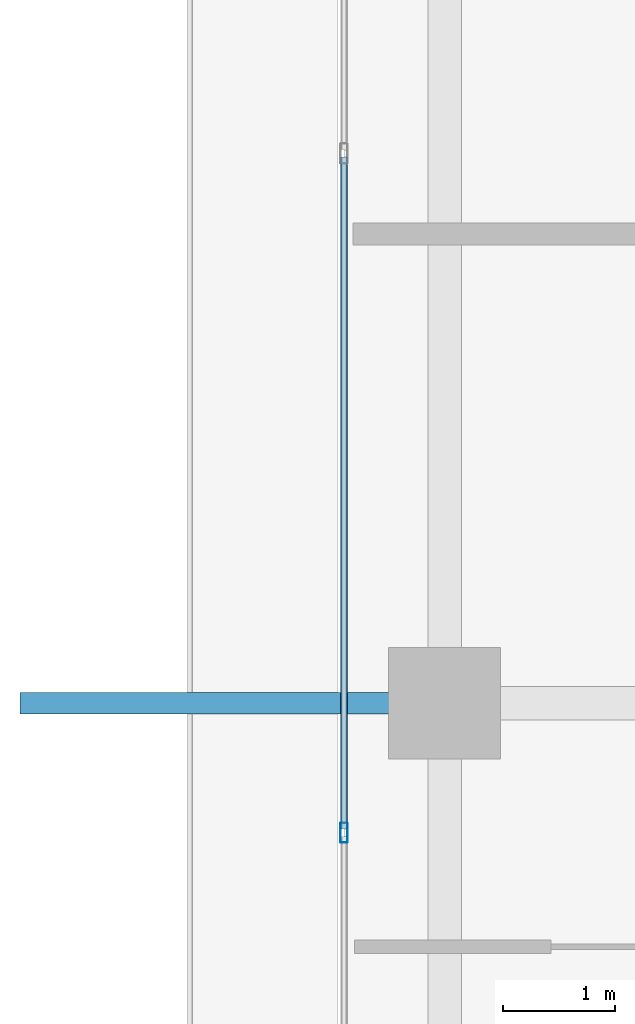
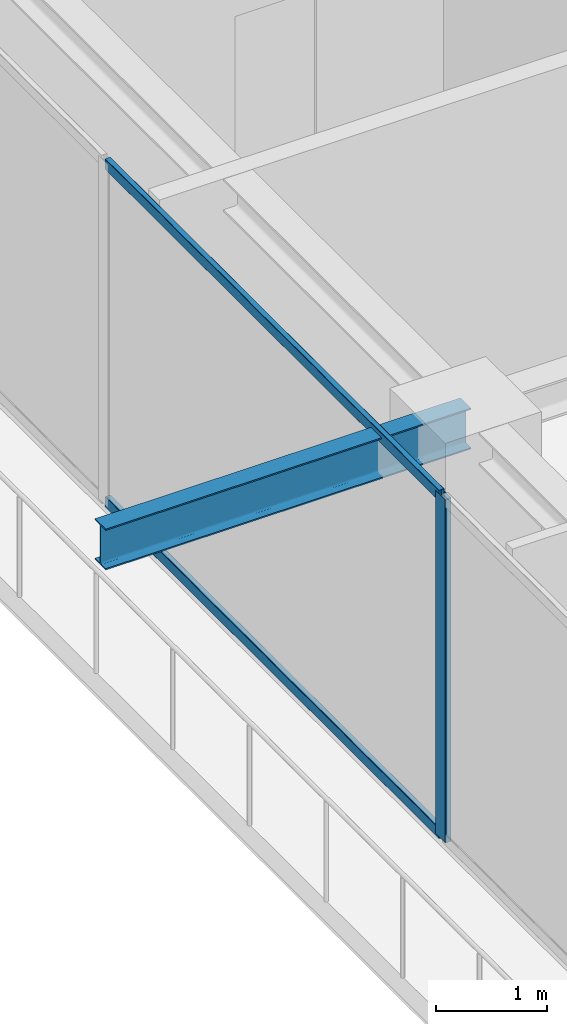
# One storey, part 9 of 41: 3 members, 1 beam, 1 element without a shape of its own.
"""IFC4 building model written with IfcOpenShell, lengths in metres."""

from ifc_helpers import new_model, si_unit, direction, frame, origin, origin_2d, place, context, subcontext, project, spatial, hollow_rectangle, i_section, extrude, source, transform, mapped, material, layer, layer_set, material_profile, profile_set, type_object, element, aggregate, save


model = new_model("IFC4")

# Units and contexts
model_context = context("Model", 3, precision=1e-05, world=origin(), true_north=direction((0.0, 1.0)))
body_context = subcontext(model_context, "Body", "Model", "MODEL_VIEW")
ifc_project = project(units=[si_unit("LENGTHUNIT", "METRE"), si_unit("AREAUNIT", "SQUARE_METRE"), si_unit("VOLUMEUNIT", "CUBIC_METRE"), si_unit("PLANEANGLEUNIT", "RADIAN"), si_unit("MASSUNIT", "GRAM", prefix="KILO")], contexts=[model_context])

# Site, building, storey
site_placement = place(None, origin())
site = spatial("IfcSite", under=ifc_project, at=site_placement, CompositionType="ELEMENT")
building_placement = place(site_placement, origin())
building = spatial("IfcBuilding", under=site, at=building_placement, Name="Serunith Strait Residences", CompositionType="ELEMENT")
storey_placement = place(building_placement, frame((0.0, 0.0, 301.550048828125)))
storey = spatial("IfcBuildingStorey", under=building, at=storey_placement, Name="L75", CompositionType="ELEMENT", Elevation=301.550048828125)

# Beam
ifc_material_1 = material(Name="Steel S355J2", Category="steel")
ifc_material_profile_1 = material_profile(ifc_material_1, i_section(OverallWidth=0.18994140625, OverallDepth=0.449951171875, WebThickness=0.009521484375, FlangeThickness=0.0146484375, FilletRadius=0.02099609375, at=origin_2d()), Name="IPE 450")
ifc_profile_set_1 = profile_set([ifc_material_profile_1], Name="Steel S355J2")
beam_type = type_object("IfcBeamType", Name="BM-IPE450", PredefinedType="JOIST", material=ifc_profile_set_1)
shared_shape_1 = source(origin(), body_context, "Body", "SweptSolid", [
    extrude(i_section(OverallWidth=0.18994140625, OverallDepth=0.449951171875, WebThickness=0.009521484375, FlangeThickness=0.0146484375, FilletRadius=0.02099609375, at=origin_2d()), origin(), (0.0, 0.0, 1.0), 3.800048828125),
])
beam_placement = place(storey_placement, frame((10.10009765625, 29.39990234375, 3.531982421875), z_axis=(-1.0, 0.0, 0.0), x_axis=(0.0, -1.0, 0.0)))
element("IfcBeam", 1, at=beam_placement, inside=storey, type_object=beam_type, Name="L76 Cantilevered Balcony Rib TC-W3", PredefinedType="JOIST", context=body_context, shape_type="MappedRepresentation", body=[
    mapped(shared_shape_1, transform((0.0, 0.0, 0.0), scale=1.0)),
])

# Curtain wall, members
ifc_material_2 = material(Name="Brushed Stainless-Silver Aluminium", Category="aluminium")
ifc_layer = layer(ifc_material_2, 0.199951171875, Name="Brushed Stainless-Silver Aluminium")
ifc_layer_set = layer_set([ifc_layer], Name="Brushed Stainless-Silver Aluminium")
curtain_wall_type = type_object("IfcCurtainWallType", Name="CW-SYS5", PredefinedType="NOTDEFINED", material=ifc_layer_set)
curtain_wall_placement = place(storey_placement, origin())
curtain_wall = element("IfcCurtainWall", 2, at=curtain_wall_placement, inside=storey, type_object=curtain_wall_type, Name="L75 W Unitised Fritted Curtain Wall", PredefinedType="NOTDEFINED")
ifc_material_profile_2 = material_profile(ifc_material_2, hollow_rectangle(XDim=0.06005859375, YDim=0.1201171875, WallThickness=0.00341796875, InnerFilletRadius=0.00537109375, OuterFilletRadius=0.0087890625, at=origin_2d()), Name="ALU 120x60x3.5")
ifc_profile_set_2 = profile_set([ifc_material_profile_2], Name="Brushed Stainless-Silver Aluminium")
member_type_1 = type_object("IfcMemberType", Name="CW-SYS5-TRAN", PredefinedType="USERDEFINED", material=ifc_profile_set_2)
shared_shape_2 = source(origin(), body_context, "Body", "SweptSolid", [
    extrude(hollow_rectangle(XDim=0.06005859375, YDim=0.1201171875, WallThickness=0.00341796875, InnerFilletRadius=0.00537109375, OuterFilletRadius=0.0087890625, at=origin_2d()), origin(), (0.0, 0.0, 1.0), 6.01513671875),
])
member_1_placement = place(storey_placement, frame((9.199951171875, 34.28759765625, 0.030029296875), z_axis=(0.0, -1.0, 0.0), x_axis=(1.0, 0.0, 0.0)))
member_1 = element("IfcMember", 3, at=member_1_placement, type_object=member_type_1, Name="CW-5 transom 2.1", ObjectType="TRANSOM", PredefinedType="USERDEFINED", context=body_context, shape_type="MappedRepresentation", body=[
    mapped(shared_shape_2, transform((0.0, 0.0, 0.0), scale=1.0)),
])
member_2_placement = place(storey_placement, frame((9.199951171875, 34.28759765625, 3.744873046875), z_axis=(0.0, -1.0, 0.0), x_axis=(1.0, 0.0, 0.0)))
member_2 = element("IfcMember", 4, at=member_2_placement, type_object=member_type_1, Name="CW-5 transom 2.2", ObjectType="TRANSOM", PredefinedType="USERDEFINED", context=body_context, shape_type="MappedRepresentation", body=[
    mapped(shared_shape_2, transform((0.0, 0.0, 0.0), scale=1.0)),
])
ifc_material_profile_3 = material_profile(ifc_material_2, hollow_rectangle(XDim=0.06494140625, YDim=0.179931640625, WallThickness=0.00341796875, InnerFilletRadius=0.00537109375, OuterFilletRadius=0.0087890625, at=origin_2d()), Name="ALU 180x65x3.5")
ifc_profile_set_3 = profile_set([ifc_material_profile_3], Name="Brushed Stainless-Silver Aluminium")
member_type_2 = type_object("IfcMemberType", Name="CW-SYS5-MULL", PredefinedType="MULLION", material=ifc_profile_set_3)
shared_shape_3 = source(origin(), body_context, "Body", "SweptSolid", [
    extrude(hollow_rectangle(XDim=0.06494140625, YDim=0.179931640625, WallThickness=0.00341796875, InnerFilletRadius=0.00537109375, OuterFilletRadius=0.0087890625, at=origin_2d()), origin(), (0.0, 0.0, 1.0), 3.77490234375),
])
member_3_placement = place(storey_placement, frame((9.199951171875, 28.239990234375, 0.0), z_axis=(0.0, 0.0, 1.0), x_axis=(1.0, 0.0, 0.0)))
member_3 = element("IfcMember", 5, at=member_3_placement, type_object=member_type_2, Name="CW-5 mullion 3", PredefinedType="MULLION", context=body_context, shape_type="MappedRepresentation", body=[
    mapped(shared_shape_3, transform((0.0, 0.0, 0.0), scale=1.0)),
])
aggregate(curtain_wall, [member_3, member_1, member_2])

save(model, "model.ifc")
